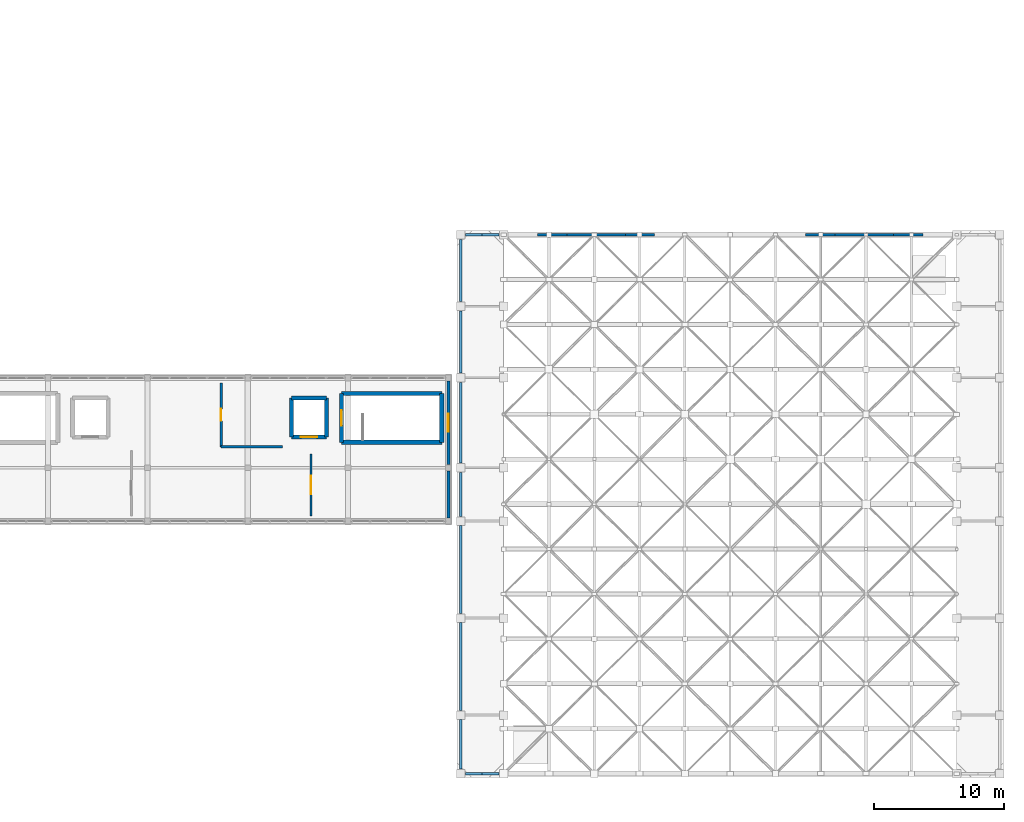
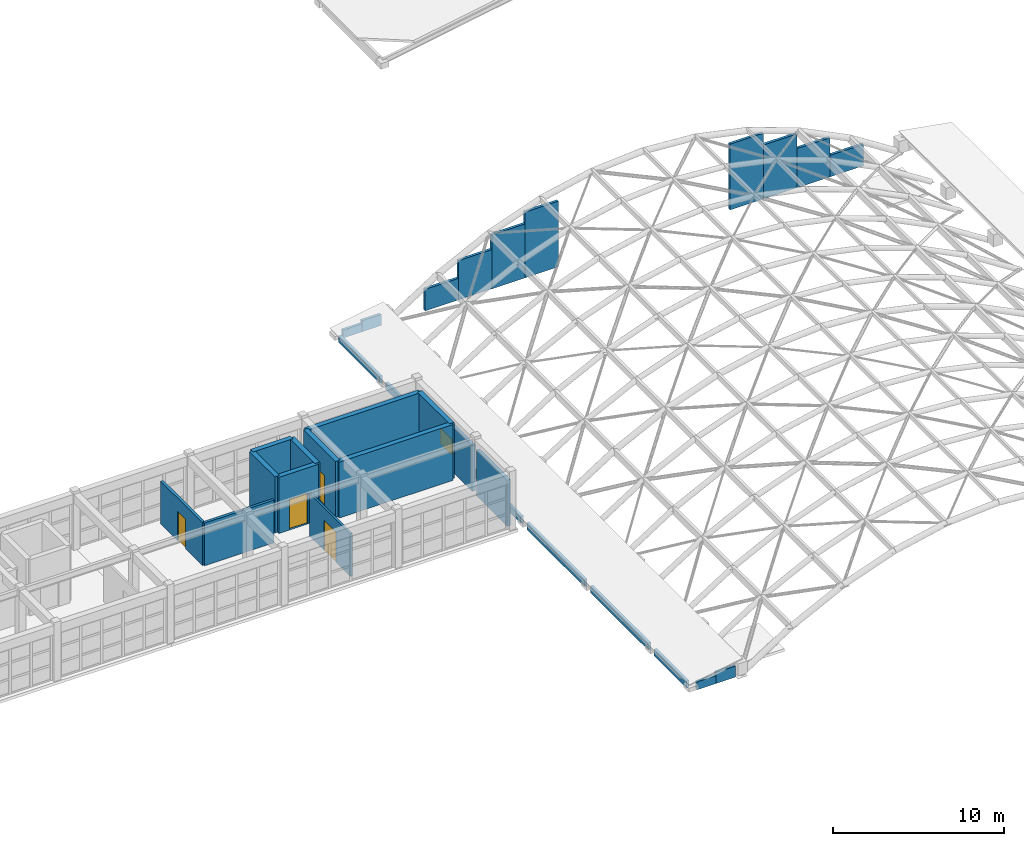
# One storey, part 47 of 52: 32 walls, 4 doors, 1 window, 5 openings.
"""IFC4 building model written with IfcOpenShell, lengths in metres."""

from ifc_helpers import new_model, si_unit, direction, frame, frame_2d, origin, place, context, subcontext, project, spatial, rectangle, extrude, material, layer, layer_set, type_object, element, fill, save


model = new_model("IFC4")

# Units and contexts
model_context = context("Model", 3, precision=1e-05, world=origin(), true_north=direction((0.0, 1.0)))
body_context = subcontext(model_context, "Body", "Model", "MODEL_VIEW")
ifc_project = project(units=[si_unit("LENGTHUNIT", "METRE"), si_unit("AREAUNIT", "SQUARE_METRE"), si_unit("VOLUMEUNIT", "CUBIC_METRE"), si_unit("PLANEANGLEUNIT", "RADIAN"), si_unit("MASSUNIT", "GRAM", prefix="KILO")], contexts=[model_context])

# Site, building, storey
site_placement = place(None, origin())
site = spatial("IfcSite", under=ifc_project, at=site_placement, CompositionType="ELEMENT")
building_placement = place(site_placement, origin())
building = spatial("IfcBuilding", under=site, at=building_placement, Name="Candilejo Ridge Gondola Terminal", CompositionType="ELEMENT")
storey_placement = place(building_placement, frame((0.0, 0.0, 18.60009765625)))
storey = spatial("IfcBuildingStorey", under=building, at=storey_placement, Name="L04", CompositionType="ELEMENT", Elevation=18.60009765625)

# Wall
ifc_material_1 = material(Name="Concrete C20/25 masonry blockwork (f'm 14 MPa)", Category="masonry")
ifc_layer_1 = layer(ifc_material_1, 0.219970703125)
ifc_layer_set_1 = layer_set([ifc_layer_1], Name="ARC-EXT-WALL-220")
wall_type_1 = type_object("IfcWallType", Name="ARC-EXT-WALL-220", PredefinedType="STANDARD", material=ifc_layer_set_1)
wall_1_placement = place(storey_placement, frame((132.949951171875, 29.550048828125, 0.0), z_axis=(0.0, 0.0, 1.0), x_axis=(0.0, -1.0, 0.0)))
element("IfcWall", 1, at=wall_1_placement, inside=storey, type_object=wall_type_1, Name="Exterior facade wall EW-V3-L04-086", PredefinedType="STANDARD", context=body_context, shape_type="SweptSolid", body=[
    extrude(rectangle(XDim=3.60009765625, YDim=0.219970703125, at=frame_2d((1.800048828125, 0.0))), origin(), (0.0, 0.0, 1.0), 3.27978515625),
])

# Wall, opening, window
wall_2_placement = place(storey_placement, frame((132.949951171875, 36.449951171875, 0.0), z_axis=(0.0, 0.0, 1.0), x_axis=(0.0, -1.0, 0.0)))
wall_2 = element("IfcWall", 2, at=wall_2_placement, inside=storey, type_object=wall_type_1, Name="Exterior facade wall EW-V3-L04-088", PredefinedType="STANDARD", context=body_context, shape_type="SweptSolid", body=[
    extrude(rectangle(XDim=6.39990234375, YDim=0.219970703125, at=frame_2d((3.199951171875, 0.0))), origin(), (0.0, 0.0, 1.0), 3.27978515625),
])
opening_1_placement = place(wall_2_placement, frame((2.5, 0.0, 1.050048828125)))
opening_1 = element("IfcOpeningElement", 3, at=opening_1_placement, cuts=wall_2, Name="Opening WN-05E", PredefinedType="OPENING", context=body_context, shape_type="SweptSolid", body=[
    extrude(rectangle(XDim=1.39990234375, YDim=1.10009765625, at=frame_2d((0.699951171875, 0.550048828125))), frame((0.0, 0.119873046875, 0.0), z_axis=(0.0, -1.0, 0.0), x_axis=(1.0, 0.0, 0.0)), (0.0, 0.0, 1.0), 0.239990234375),
])
ifc_material_2 = material(Name="Low-E laminated double glazing 6+12A+6+1.52PVB+6 mm", Category="glass")
window_type = type_object("IfcWindowType", Name="ARC-WIN-1400X1100", PartitioningType="SINGLE_PANEL", PredefinedType="WINDOW", material=ifc_material_2)
window_placement = place(opening_1_placement, origin())
window = element("IfcWindow", 4, at=window_placement, inside=storey, type_object=window_type, Name="Window WIN-042", OverallHeight=1.10009765625, OverallWidth=1.39990234375, PartitioningType="SINGLE_PANEL", PredefinedType="WINDOW", context=body_context, shape_type="SweptSolid", body=[
    extrude(rectangle(XDim=1.39990234375, YDim=1.10009765625, at=frame_2d((0.699951171875, 0.550048828125))), frame((0.0, 0.030029296875, 0.0), z_axis=(0.0, -1.0, 0.0), x_axis=(1.0, 0.0, 0.0)), (0.0, 0.0, 1.0), 0.06005859375),
])
fill(opening_1, window)

# Walls
ifc_material_3 = material(Name="Concrete f'c 35 MPa (C35/45)", Category="concrete")
ifc_layer_2 = layer(ifc_material_3, 0.179931640625)
ifc_layer_set_2 = layer_set([ifc_layer_2], Name="ARC-PARAPET-WALL-180")
wall_type_2 = type_object("IfcWallType", Name="ARC-PARAPET-WALL-180", PredefinedType="PARAPET", material=ifc_layer_set_2)
wall_3_placement = place(storey_placement, frame((133.89990234375, 6.655029296875, -0.2001953125), z_axis=(0.0, 0.0, 1.0), x_axis=(0.0, 1.0, 0.0)))
element("IfcWall", 5, at=wall_3_placement, inside=storey, type_object=wall_type_2, Name="Roof perimeter gable/spandrel wall L04-077", PredefinedType="PARAPET", context=body_context, shape_type="SweptSolid", body=[
    extrude(rectangle(XDim=3.7900390625, YDim=0.179931640625, at=frame_2d((1.89501953125, 0.0))), origin(), (0.0, 0.0, 1.0), 0.500244140625),
])
for number, where, z_axis, x_axis, name in (
    (6, (133.89990234375, 11.155029296875, -0.2001953125), (0.0, 0.0, 1.0), (0.0, 1.0, 0.0), "Roof perimeter gable/spandrel wall L04-078"),
    (7, (133.89990234375, 18.60498046875, -0.2001953125), (0.0, 0.0, 1.0), (0.0, 1.0, 0.0), "Roof perimeter gable/spandrel wall L04-079"),
):
    element("IfcWall", number, at=place(storey_placement, frame(where, z_axis=z_axis, x_axis=x_axis)), inside=storey, type_object=wall_type_2, Name=name, PredefinedType="PARAPET", context=body_context, shape_type="SweptSolid", body=[
        extrude(rectangle(XDim=6.739990234375, YDim=0.179931640625, at=frame_2d((3.3701171875, 0.0))), origin(), (0.0, 0.0, 1.0), 0.500244140625),
    ])
wall_4_placement = place(storey_placement, frame((133.89990234375, 26.054931640625, -0.2001953125), z_axis=(0.0, 0.0, 1.0), x_axis=(0.0, 1.0, 0.0)))
element("IfcWall", 8, at=wall_4_placement, inside=storey, type_object=wall_type_2, Name="Roof perimeter gable/spandrel wall L04-080", PredefinedType="PARAPET", context=body_context, shape_type="SweptSolid", body=[
    extrude(rectangle(XDim=3.39013671875, YDim=0.179931640625, at=frame_2d((1.695068359375, 0.0))), origin(), (0.0, 0.0, 1.0), 0.500244140625),
])
wall_5_placement = place(storey_placement, frame((133.89990234375, 30.155029296875, -0.2001953125), z_axis=(0.0, 0.0, 1.0), x_axis=(0.0, 1.0, 0.0)))
element("IfcWall", 9, at=wall_5_placement, inside=storey, type_object=wall_type_2, Name="Roof perimeter gable/spandrel wall L04-081", PredefinedType="PARAPET", context=body_context, shape_type="SweptSolid", body=[
    extrude(rectangle(XDim=6.18994140625, YDim=0.179931640625, at=frame_2d((3.094970703125, 0.0))), origin(), (0.0, 0.0, 1.0), 0.500244140625),
])
for number, where, z_axis, x_axis, name in (
    (10, (133.89990234375, 37.054931640625, -0.2001953125), (0.0, 0.0, 1.0), (0.0, 1.0, 0.0), "Roof perimeter gable/spandrel wall L04-082"),
    (11, (133.89990234375, 42.554931640625, -0.2001953125), (0.0, 0.0, 1.0), (0.0, 1.0, 0.0), "Roof perimeter gable/spandrel wall L04-083"),
):
    element("IfcWall", number, at=place(storey_placement, frame(where, z_axis=z_axis, x_axis=x_axis)), inside=storey, type_object=wall_type_2, Name=name, PredefinedType="PARAPET", context=body_context, shape_type="SweptSolid", body=[
        extrude(rectangle(XDim=4.7900390625, YDim=0.179931640625, at=frame_2d((2.39501953125, 0.0))), origin(), (0.0, 0.0, 1.0), 0.500244140625),
    ])
wall_6_placement = place(storey_placement, frame((134.2548828125, 6.300048828125, -0.2001953125), z_axis=(0.0, 0.0, 1.0), x_axis=(1.0, 0.0, 0.0)))
element("IfcWall", 12, at=wall_6_placement, inside=storey, type_object=wall_type_2, Name="Roof perimeter gable/spandrel wall L04-084", PredefinedType="PARAPET", context=body_context, shape_type="SweptSolid", body=[
    extrude(rectangle(XDim=1.295166015625, YDim=0.179931640625, at=frame_2d((0.6474609375, 0.0))), origin(), (0.0, 0.0, 1.0), 0.562744140625),
])
wall_7_placement = place(storey_placement, frame((135.550048828125, 6.300048828125, -0.2001953125), z_axis=(0.0, 0.0, 1.0), x_axis=(1.0, 0.0, 0.0)))
element("IfcWall", 13, at=wall_7_placement, inside=storey, type_object=wall_type_2, Name="Roof perimeter gable/spandrel wall L04-085", PredefinedType="PARAPET", context=body_context, shape_type="SweptSolid", body=[
    extrude(rectangle(XDim=1.294921875, YDim=0.179931640625, at=frame_2d((0.6474609375, 0.0))), origin(), (0.0, 0.0, 1.0), 0.791259765625),
])
wall_8_placement = place(storey_placement, frame((134.2548828125, 47.699951171875, -0.2001953125), z_axis=(0.0, 0.0, 1.0), x_axis=(1.0, 0.0, 0.0)))
element("IfcWall", 14, at=wall_8_placement, inside=storey, type_object=wall_type_2, Name="Roof perimeter gable/spandrel wall L04-086", PredefinedType="PARAPET", context=body_context, shape_type="SweptSolid", body=[
    extrude(rectangle(XDim=1.295166015625, YDim=0.179931640625, at=frame_2d((0.6474609375, 0.0))), origin(), (0.0, 0.0, 1.0), 0.562744140625),
])
wall_9_placement = place(storey_placement, frame((135.550048828125, 47.699951171875, -0.2001953125), z_axis=(0.0, 0.0, 1.0), x_axis=(1.0, 0.0, 0.0)))
element("IfcWall", 15, at=wall_9_placement, inside=storey, type_object=wall_type_2, Name="Roof perimeter gable/spandrel wall L04-087", PredefinedType="PARAPET", context=body_context, shape_type="SweptSolid", body=[
    extrude(rectangle(XDim=1.294921875, YDim=0.179931640625, at=frame_2d((0.6474609375, 0.0))), origin(), (0.0, 0.0, 1.0), 0.791259765625),
])
wall_10_placement = place(storey_placement, frame((139.803955078125, 47.699951171875, -0.2001953125), z_axis=(0.0, 0.0, 1.0), x_axis=(1.0, 0.0, 0.0)))
element("IfcWall", 16, at=wall_10_placement, inside=storey, type_object=wall_type_2, Name="Roof perimeter gable/spandrel wall L04-166", PredefinedType="PARAPET", context=body_context, shape_type="SweptSolid", body=[
    extrude(rectangle(XDim=2.2490234375, YDim=0.179931640625, at=frame_2d((1.12451171875, 0.0))), origin(), (0.0, 0.0, 1.0), 1.537109375),
])
wall_11_placement = place(storey_placement, frame((142.052978515625, 47.699951171875, -0.2001953125), z_axis=(0.0, 0.0, 1.0), x_axis=(1.0, 0.0, 0.0)))
element("IfcWall", 17, at=wall_11_placement, inside=storey, type_object=wall_type_2, Name="Roof perimeter gable/spandrel wall L04-167", PredefinedType="PARAPET", context=body_context, shape_type="SweptSolid", body=[
    extrude(rectangle(XDim=2.2490234375, YDim=0.179931640625, at=frame_2d((1.12451171875, 0.0))), origin(), (0.0, 0.0, 1.0), 2.79638671875),
])
wall_12_placement = place(storey_placement, frame((144.302001953125, 47.699951171875, -0.2001953125), z_axis=(0.0, 0.0, 1.0), x_axis=(1.0, 0.0, 0.0)))
element("IfcWall", 18, at=wall_12_placement, inside=storey, type_object=wall_type_2, Name="Roof perimeter gable/spandrel wall L04-168", PredefinedType="PARAPET", context=body_context, shape_type="SweptSolid", body=[
    extrude(rectangle(XDim=2.2490234375, YDim=0.179931640625, at=frame_2d((1.12451171875, 0.0))), origin(), (0.0, 0.0, 1.0), 3.848388671875),
])
for number, where, z_axis, x_axis, name in (
    (19, (146.551025390625, 47.699951171875, -0.2001953125), (0.0, 0.0, 1.0), (1.0, 0.0, 0.0), "Roof perimeter gable/spandrel wall L04-169"),
    (20, (160.39990234375, 47.699951171875, -0.2001953125), (0.0, 0.0, 1.0), (1.0, 0.0, 0.0), "Roof perimeter gable/spandrel wall L04-170"),
):
    element("IfcWall", number, at=place(storey_placement, frame(where, z_axis=z_axis, x_axis=x_axis)), inside=storey, type_object=wall_type_2, Name=name, PredefinedType="PARAPET", context=body_context, shape_type="SweptSolid", body=[
        extrude(rectangle(XDim=2.2490234375, YDim=0.179931640625, at=frame_2d((1.12451171875, 0.0))), origin(), (0.0, 0.0, 1.0), 4.693359375),
    ])
wall_13_placement = place(storey_placement, frame((162.64892578125, 47.699951171875, -0.2001953125), z_axis=(0.0, 0.0, 1.0), x_axis=(1.0, 0.0, 0.0)))
element("IfcWall", 21, at=wall_13_placement, inside=storey, type_object=wall_type_2, Name="Roof perimeter gable/spandrel wall L04-171", PredefinedType="PARAPET", context=body_context, shape_type="SweptSolid", body=[
    extrude(rectangle(XDim=2.2490234375, YDim=0.179931640625, at=frame_2d((1.12451171875, 0.0))), origin(), (0.0, 0.0, 1.0), 3.848388671875),
])
wall_14_placement = place(storey_placement, frame((164.89794921875, 47.699951171875, -0.2001953125), z_axis=(0.0, 0.0, 1.0), x_axis=(1.0, 0.0, 0.0)))
element("IfcWall", 22, at=wall_14_placement, inside=storey, type_object=wall_type_2, Name="Roof perimeter gable/spandrel wall L04-172", PredefinedType="PARAPET", context=body_context, shape_type="SweptSolid", body=[
    extrude(rectangle(XDim=2.2490234375, YDim=0.179931640625, at=frame_2d((1.12451171875, 0.0))), origin(), (0.0, 0.0, 1.0), 2.79638671875),
])
wall_15_placement = place(storey_placement, frame((167.14697265625, 47.699951171875, -0.2001953125), z_axis=(0.0, 0.0, 1.0), x_axis=(1.0, 0.0, 0.0)))
element("IfcWall", 23, at=wall_15_placement, inside=storey, type_object=wall_type_2, Name="Roof perimeter gable/spandrel wall L04-173", PredefinedType="PARAPET", context=body_context, shape_type="SweptSolid", body=[
    extrude(rectangle(XDim=2.2490234375, YDim=0.179931640625, at=frame_2d((1.12451171875, 0.0))), origin(), (0.0, 0.0, 1.0), 1.537109375),
])

# Wall, opening, door
ifc_material_4 = material(Name="Gypsum board Type X acoustic partition (2x15.9 mm)", Category="gypsum")
ifc_layer_3 = layer(ifc_material_4, 0.135009765625)
ifc_layer_set_3 = layer_set([ifc_layer_3], Name="ARC-PART-GYP135")
wall_type_3 = type_object("IfcWallType", Name="ARC-PART-GYP135", PredefinedType="PARTITIONING", material=ifc_layer_set_3)
wall_16_placement = place(storey_placement, frame((122.39990234375, 26.10009765625, 0.0), z_axis=(0.0, 0.0, 1.0), x_axis=(0.0, 1.0, 0.0)))
wall_16 = element("IfcWall", 24, at=wall_16_placement, inside=storey, type_object=wall_type_3, Name="Interior partition PT-V3-L04-0130", PredefinedType="PARTITIONING", context=body_context, shape_type="SweptSolid", body=[
    extrude(rectangle(XDim=4.75, YDim=0.135009765625, at=frame_2d((2.375, 0.0))), origin(), (0.0, 0.0, 1.0), 3.0498046875),
])
opening_2_placement = place(wall_16_placement, frame((1.675048828125, 0.0, 0.0)))
opening_2 = element("IfcOpeningElement", 25, at=opening_2_placement, cuts=wall_16, Name="Opening ID-03C", PredefinedType="OPENING", context=body_context, shape_type="SweptSolid", body=[
    extrude(rectangle(XDim=1.39990234375, YDim=2.14990234375, at=frame_2d((0.699951171875, 1.074951171875))), frame((0.0, 0.077392578125, 0.0), z_axis=(0.0, -1.0, 0.0), x_axis=(1.0, 0.0, 0.0)), (0.0, 0.0, 1.0), 0.155029296875),
])
ifc_material_5 = material(Name="Solid-core fire-rated hardwood door leaf", Category="wood")
door_type_1 = type_object("IfcDoorType", Name="ARC-DOOR-DBL-1400", OperationType="NOTDEFINED", PredefinedType="DOOR", material=ifc_material_5)
door_1_placement = place(opening_2_placement, origin())
door_1 = element("IfcDoor", 26, at=door_1_placement, inside=storey, type_object=door_type_1, Name="Interior door IDR-0071 (402)", OperationType="DOUBLE_DOOR_SINGLE_SWING", OverallHeight=2.14990234375, OverallWidth=1.39990234375, PredefinedType="DOOR", context=body_context, shape_type="SweptSolid", body=[
    extrude(rectangle(XDim=1.39990234375, YDim=2.14990234375, at=frame_2d((0.699951171875, 1.074951171875))), frame((0.0, 0.02490234375, 0.0), z_axis=(0.0, -1.0, 0.0), x_axis=(1.0, 0.0, 0.0)), (0.0, 0.0, 1.0), 0.050048828125),
])
fill(opening_2, door_1)

# Wall
ifc_material_6 = material(Name="Concrete C20/25 masonry blockwork (f'm 14 MPa)", Category="masonry")
ifc_layer_4 = layer(ifc_material_6, 0.179931640625)
ifc_layer_set_4 = layer_set([ifc_layer_4], Name="ARC-WALL-PLUMBING-180")
wall_type_4 = type_object("IfcWallType", Name="ARC-WALL-PLUMBING-180", PredefinedType="PLUMBINGWALL", material=ifc_layer_set_4)
wall_17_placement = place(storey_placement, frame((115.5, 31.39990234375, 0.0), z_axis=(0.0, 0.0, 1.0), x_axis=(1.0, 0.0, 0.0)))
element("IfcWall", 27, at=wall_17_placement, inside=storey, type_object=wall_type_4, Name="Interior partition PT-V3-L04-0131", PredefinedType="PLUMBINGWALL", context=body_context, shape_type="SweptSolid", body=[
    extrude(rectangle(XDim=4.699951171875, YDim=0.179931640625, at=frame_2d((2.35009765625, 0.0))), origin(), (0.0, 0.0, 1.0), 3.0498046875),
])

# Wall, opening, door
wall_18_placement = place(storey_placement, frame((115.5, 31.39990234375, 0.0), z_axis=(0.0, 0.0, 1.0), x_axis=(0.0, 1.0, 0.0)))
wall_18 = element("IfcWall", 28, at=wall_18_placement, inside=storey, type_object=wall_type_4, Name="Interior partition PT-V3-L04-0132", PredefinedType="PLUMBINGWALL", context=body_context, shape_type="SweptSolid", body=[
    extrude(rectangle(XDim=4.900146484375, YDim=0.179931640625, at=frame_2d((2.4501953125, 0.0))), origin(), (0.0, 0.0, 1.0), 3.0498046875),
])
opening_3_placement = place(wall_18_placement, frame((1.989990234375, 0.0, 0.0)))
opening_3 = element("IfcOpeningElement", 29, at=opening_3_placement, cuts=wall_18, Name="Opening ID-04A", PredefinedType="OPENING", context=body_context, shape_type="SweptSolid", body=[
    extrude(rectangle(XDim=0.919921875, YDim=2.10009765625, at=frame_2d((0.4599609375, 1.050048828125))), frame((0.0, 0.099853515625, 0.0), z_axis=(0.0, -1.0, 0.0), x_axis=(1.0, 0.0, 0.0)), (0.0, 0.0, 1.0), 0.199951171875),
])
ifc_material_7 = material(Name="Solid-core fire-rated hardwood door leaf", Category="wood")
door_type_2 = type_object("IfcDoorType", Name="ARC-DOOR-WC-0920", OperationType="NOTDEFINED", PredefinedType="DOOR", material=ifc_material_7)
door_2_placement = place(opening_3_placement, origin())
door_2 = element("IfcDoor", 30, at=door_2_placement, inside=storey, type_object=door_type_2, Name="Interior door IDR-0072 (405)", OperationType="SINGLE_SWING_RIGHT", OverallHeight=2.10009765625, OverallWidth=0.919921875, PredefinedType="DOOR", context=body_context, shape_type="SweptSolid", body=[
    extrude(rectangle(XDim=0.919921875, YDim=2.10009765625, at=frame_2d((0.4599609375, 1.050048828125))), frame((0.0, 0.02490234375, 0.0), z_axis=(0.0, -1.0, 0.0), x_axis=(1.0, 0.0, 0.0)), (0.0, 0.0, 1.0), 0.050048828125),
])
fill(opening_3, door_2)

# Walls
ifc_material_8 = material(Name="Concrete f'c 35 MPa (C35/45)", Category="concrete")
ifc_layer_5 = layer(ifc_material_8, 0.324951171875)
ifc_layer_set_5 = layer_set([ifc_layer_5], Name="STR-CORE-WALL-325")
wall_type_5 = type_object("IfcWallType", Name="STR-CORE-WALL-325", PredefinedType="SHEAR", material=ifc_layer_set_5)
for number, where, z_axis, x_axis, name in (
    (31, (124.75, 31.75, 0.0), (0.0, 0.0, 1.0), (1.0, 0.0, 0.0), "Core stair shear wall SW-C-V3B-L04-ST-S"),
    (32, (132.449951171875, 35.5, 0.0), (0.0, 0.0, 1.0), (-1.0, 0.0, 0.0), "Core stair shear wall SW-C-V3B-L04-ST-N"),
):
    element("IfcWall", number, at=place(storey_placement, frame(where, z_axis=z_axis, x_axis=x_axis)), inside=storey, type_object=wall_type_5, Name=name, PredefinedType="SHEAR", context=body_context, shape_type="SweptSolid", body=[
        extrude(rectangle(XDim=7.699951171875, YDim=0.324951171875, at=frame_2d((3.85009765625, 0.0))), origin(), (0.0, 0.0, 1.0), 3.989990234375),
    ])

# Wall, opening, door
wall_19_placement = place(storey_placement, frame((124.75, 35.5, 0.0), z_axis=(0.0, 0.0, 1.0), x_axis=(0.0, -1.0, 0.0)))
wall_19 = element("IfcWall", 33, at=wall_19_placement, inside=storey, type_object=wall_type_5, Name="Core stair shear wall SW-C-V3B-L04-ST-W", PredefinedType="SHEAR", context=body_context, shape_type="SweptSolid", body=[
    extrude(rectangle(XDim=3.75, YDim=0.324951171875, at=frame_2d((1.875, 0.0))), origin(), (0.0, 0.0, 1.0), 3.989990234375),
])
opening_4_placement = place(wall_19_placement, frame((1.27490234375, 0.0, 0.0)))
opening_4 = element("IfcOpeningElement", 34, at=opening_4_placement, cuts=wall_19, Name="Opening FD-01", PredefinedType="OPENING", context=body_context, shape_type="SweptSolid", body=[
    extrude(rectangle(XDim=1.199951171875, YDim=2.199951171875, at=frame_2d((0.60009765625, 1.10009765625))), frame((0.0, 0.17236328125, 0.0), z_axis=(0.0, -1.0, 0.0), x_axis=(1.0, 0.0, 0.0)), (0.0, 0.0, 1.0), 0.344970703125),
])
ifc_material_9 = material(Name="Steel ASTM A653 Grade 33 hollow-metal door", Category="steel")
door_type_3 = type_object("IfcDoorType", Name="ARC-DOOR-FD90-1200", OperationType="NOTDEFINED", PredefinedType="DOOR", material=ifc_material_9)
door_3_placement = place(opening_4_placement, origin())
door_3 = element("IfcDoor", 35, at=door_3_placement, inside=storey, type_object=door_type_3, Name="Fire stair door SDR-024", OperationType="SINGLE_SWING_RIGHT", OverallHeight=2.199951171875, OverallWidth=1.199951171875, PredefinedType="DOOR", context=body_context, shape_type="SweptSolid", body=[
    extrude(rectangle(XDim=1.199951171875, YDim=2.199951171875, at=frame_2d((0.60009765625, 1.10009765625))), frame((0.0, 0.02490234375, 0.0), z_axis=(0.0, -1.0, 0.0), x_axis=(1.0, 0.0, 0.0)), (0.0, 0.0, 1.0), 0.050048828125),
])
fill(opening_4, door_3)

# Wall
wall_20_placement = place(storey_placement, frame((132.449951171875, 31.75, 0.0), z_axis=(0.0, 0.0, 1.0), x_axis=(0.0, 1.0, 0.0)))
element("IfcWall", 36, at=wall_20_placement, inside=storey, type_object=wall_type_5, Name="Core stair shear wall SW-C-V3B-L04-ST-E", PredefinedType="SHEAR", context=body_context, shape_type="SweptSolid", body=[
    extrude(rectangle(XDim=3.75, YDim=0.324951171875, at=frame_2d((1.875, 0.0))), origin(), (0.0, 0.0, 1.0), 3.989990234375),
])

# Wall, opening, door
wall_21_placement = place(storey_placement, frame((120.89990234375, 32.14990234375, 0.0), z_axis=(0.0, 0.0, 1.0), x_axis=(1.0, 0.0, 0.0)))
wall_21 = element("IfcWall", 37, at=wall_21_placement, inside=storey, type_object=wall_type_5, Name="Lift shaft shear wall SW-C-V3B-L04-LF-S", PredefinedType="SHEAR", context=body_context, shape_type="SweptSolid", body=[
    extrude(rectangle(XDim=2.7001953125, YDim=0.324951171875, at=frame_2d((1.35009765625, 0.0))), origin(), (0.0, 0.0, 1.0), 4.0048828125),
])
opening_5_placement = place(wall_21_placement, frame((0.72509765625, 0.0, 0.0)))
opening_5 = element("IfcOpeningElement", 38, at=opening_5_placement, cuts=wall_21, Name="Opening LD-01B", PredefinedType="OPENING", context=body_context, shape_type="SweptSolid", body=[
    extrude(rectangle(XDim=1.25, YDim=2.199951171875, at=frame_2d((0.625, 1.10009765625))), frame((0.0, 0.17236328125, 0.0), z_axis=(0.0, -1.0, 0.0), x_axis=(1.0, 0.0, 0.0)), (0.0, 0.0, 1.0), 0.344970703125),
])
ifc_material_10 = material(Name="Brushed stainless steel AISI 316", Category="steel")
door_type_4 = type_object("IfcDoorType", Name="ARC-LIFT-DOOR-1250", OperationType="NOTDEFINED", PredefinedType="DOOR", material=ifc_material_10)
door_4_placement = place(opening_5_placement, origin())
door_4 = element("IfcDoor", 39, at=door_4_placement, inside=storey, type_object=door_type_4, Name="Elevator landing door LDR-024", OperationType="SLIDING_TO_LEFT", OverallHeight=2.199951171875, OverallWidth=1.25, PredefinedType="DOOR", context=body_context, shape_type="SweptSolid", body=[
    extrude(rectangle(XDim=1.25, YDim=2.199951171875, at=frame_2d((0.625, 1.10009765625))), frame((0.0, 0.02490234375, 0.0), z_axis=(0.0, -1.0, 0.0), x_axis=(1.0, 0.0, 0.0)), (0.0, 0.0, 1.0), 0.050048828125),
])
fill(opening_5, door_4)

# Walls
wall_22_placement = place(storey_placement, frame((120.89990234375, 35.14990234375, 0.0), z_axis=(0.0, 0.0, 1.0), x_axis=(1.0, 0.0, 0.0)))
element("IfcWall", 40, at=wall_22_placement, inside=storey, type_object=wall_type_5, Name="Lift shaft shear wall SW-C-V3B-L04-LF-N", PredefinedType="SHEAR", context=body_context, shape_type="SweptSolid", body=[
    extrude(rectangle(XDim=2.7001953125, YDim=0.324951171875, at=frame_2d((1.35009765625, 0.0))), origin(), (0.0, 0.0, 1.0), 4.0048828125),
])
for number, where, z_axis, x_axis, name in (
    (41, (120.89990234375, 32.14990234375, 0.0), (0.0, 0.0, 1.0), (0.0, 1.0, 0.0), "Lift shaft shear wall SW-C-V3B-L04-LF-W"),
    (42, (123.60009765625, 32.14990234375, 0.0), (0.0, 0.0, 1.0), (0.0, 1.0, 0.0), "Lift shaft shear wall SW-C-V3B-L04-LF-E"),
):
    element("IfcWall", number, at=place(storey_placement, frame(where, z_axis=z_axis, x_axis=x_axis)), inside=storey, type_object=wall_type_5, Name=name, PredefinedType="SHEAR", context=body_context, shape_type="SweptSolid", body=[
        extrude(rectangle(XDim=3.0, YDim=0.324951171875, at=frame_2d((1.5, 0.0))), origin(), (0.0, 0.0, 1.0), 4.0048828125),
    ])

save(model, "model.ifc")
